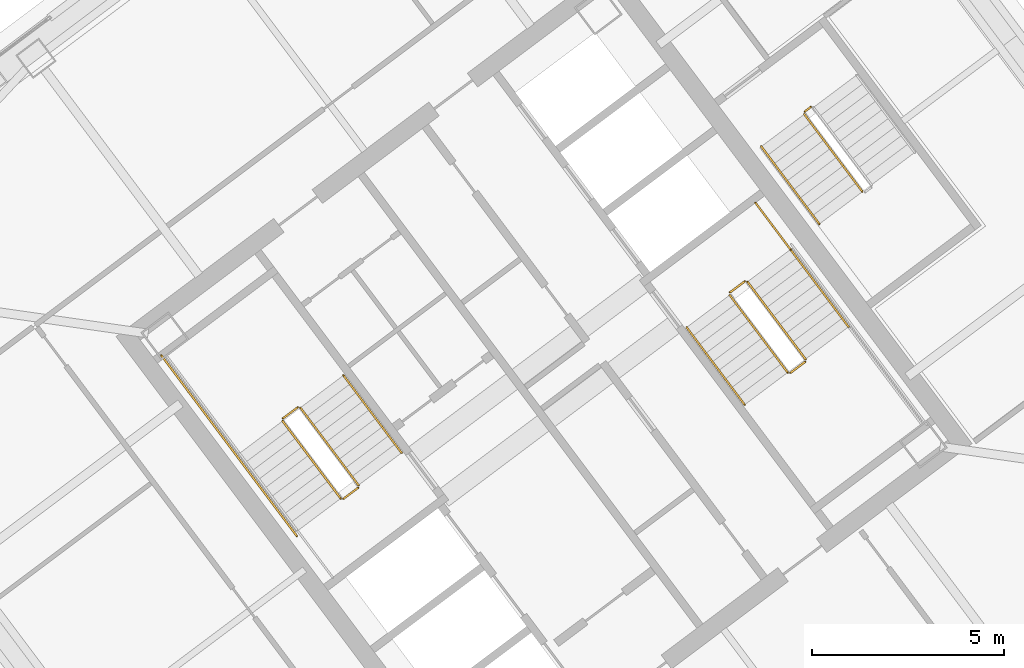
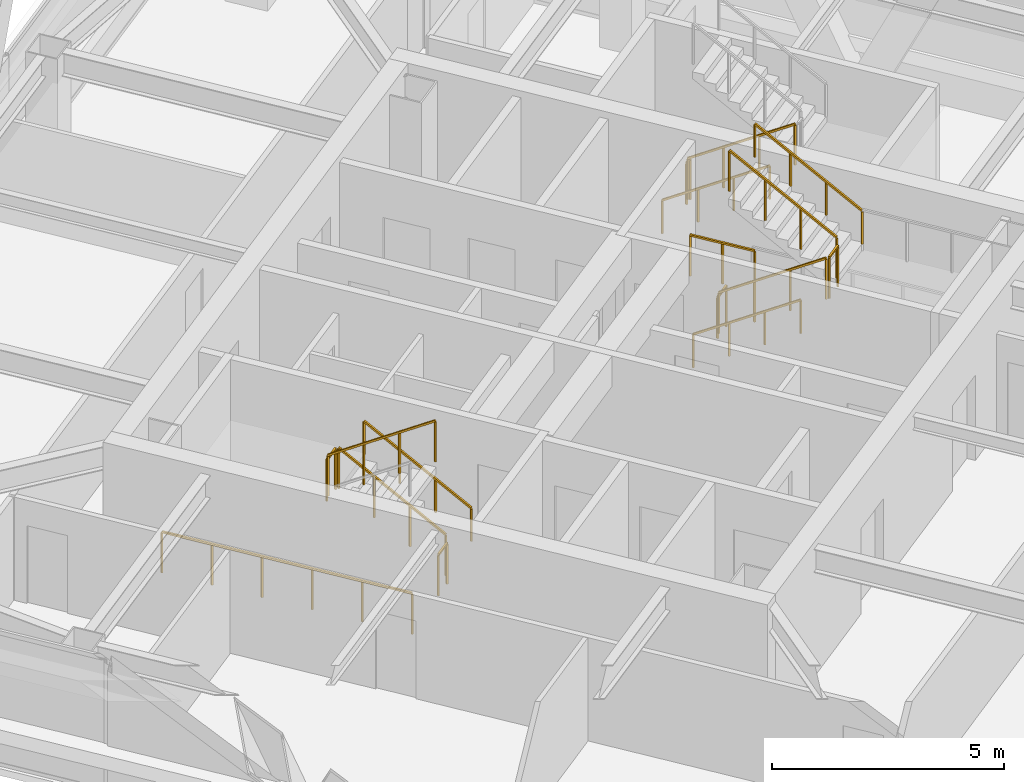
# One storey, part 45 of 47: 16 railings.
"""IFC4 building model written with IfcOpenShell, lengths in metres."""

from ifc_helpers import new_model, si_unit, direction, frame, origin, origin_2d, place, context, subcontext, project, spatial, rectangle, extrude, material, type_object, element, save


model = new_model("IFC4")

# Units and contexts
model_context = context("Model", 3, precision=1e-05, world=origin(), true_north=direction((0.0, 1.0)))
body_context = subcontext(model_context, "Body", "Model", "MODEL_VIEW")
ifc_project = project(units=[si_unit("LENGTHUNIT", "METRE"), si_unit("AREAUNIT", "SQUARE_METRE"), si_unit("VOLUMEUNIT", "CUBIC_METRE"), si_unit("PLANEANGLEUNIT", "RADIAN"), si_unit("MASSUNIT", "GRAM", prefix="KILO")], contexts=[model_context])

# Site, building, storey
site_placement = place(None, origin())
site = spatial("IfcSite", under=ifc_project, at=site_placement, CompositionType="ELEMENT")
building_placement = place(site_placement, origin())
building = spatial("IfcBuilding", under=site, at=building_placement, Name="Tashvorn Skyway Center", CompositionType="ELEMENT")
storey_placement = place(building_placement, frame((0.0, 0.0, 204.199951171875)))
storey = spatial("IfcBuildingStorey", under=building, at=storey_placement, Name="L55", CompositionType="ELEMENT", Elevation=204.199951171875)

# Railings
ifc_material_1 = material(Name="Brushed stainless steel 316", Category="steel")
railing_type_1 = type_object("IfcRailingType", Name="RAIL-HAND-920", PredefinedType="HANDRAIL", material=ifc_material_1)
railing_1_placement = place(storey_placement, frame((110.2880859375, 30.365966796875, 0.177490234375)))
element("IfcRailing", 1, at=railing_1_placement, inside=storey, type_object=railing_type_1, Name="L55 ST-T2-1 stair handrail 1", PredefinedType="HANDRAIL", context=body_context, shape_type="SweptSolid", body=[
    extrude(rectangle(XDim=0.048095703125, YDim=0.048095703125, at=origin_2d()), frame((0.0, 0.0, 0.8759765625), z_axis=(-0.506779409603, 0.675651334276, 0.53541563714), x_axis=(-0.799976749893, -0.600030998891, 0.0)), (0.0, 0.0, 1.0), 2.98388671875),
    extrude(rectangle(XDim=0.0419921875, YDim=0.0419921875, at=origin_2d()), origin(), (0.0, 0.0, 1.0), 0.851806640625),
    extrude(rectangle(XDim=0.0419921875, YDim=0.0419921875, at=origin_2d()), frame((-0.504150390625, 0.672119140625, 0.532470703125)), (0.0, 0.0, 1.0), 0.851806640625),
    extrude(rectangle(XDim=0.0419921875, YDim=0.0419921875, at=origin_2d()), frame((-1.008056640625, 1.343994140625, 1.065185546875)), (0.0, 0.0, 1.0), 0.851806640625),
    extrude(rectangle(XDim=0.0419921875, YDim=0.0419921875, at=origin_2d()), frame((-1.51220703125, 2.01611328125, 1.59765625)), (0.0, 0.0, 1.0), 0.851806640625),
])
railing_2_placement = place(storey_placement, frame((117.7119140625, 33.634033203125, 0.177490234375)))
element("IfcRailing", 2, at=railing_2_placement, inside=storey, type_object=railing_type_1, Name="L55 ST-T2-2 stair handrail 1", PredefinedType="HANDRAIL", context=body_context, shape_type="SweptSolid", body=[
    extrude(rectangle(XDim=0.048095703125, YDim=0.048095703125, at=origin_2d()), frame((0.0, 0.0, 0.8759765625), z_axis=(0.506779409603, -0.675651334276, 0.53541563714), x_axis=(0.799976749893, 0.600030998891, 0.0)), (0.0, 0.0, 1.0), 2.98388671875),
    extrude(rectangle(XDim=0.0419921875, YDim=0.0419921875, at=origin_2d()), origin(), (0.0, 0.0, 1.0), 0.851806640625),
    extrude(rectangle(XDim=0.0419921875, YDim=0.0419921875, at=origin_2d()), frame((0.504150390625, -0.672119140625, 0.532470703125)), (0.0, 0.0, 1.0), 0.851806640625),
    extrude(rectangle(XDim=0.0419921875, YDim=0.0419921875, at=origin_2d()), frame((1.008056640625, -1.343994140625, 1.065185546875)), (0.0, 0.0, 1.0), 0.851806640625),
    extrude(rectangle(XDim=0.0419921875, YDim=0.0419921875, at=origin_2d()), frame((1.51220703125, -2.01611328125, 1.59765625)), (0.0, 0.0, 1.0), 0.851806640625),
])
railing_3_placement = place(storey_placement, frame((121.927978515625, 33.64599609375, 1.95263671875)))
element("IfcRailing", 3, at=railing_3_placement, inside=storey, type_object=railing_type_1, Name="L55 ST-T2-2 stair handrail 2", PredefinedType="HANDRAIL", context=body_context, shape_type="SweptSolid", body=[
    extrude(rectangle(XDim=0.048095703125, YDim=0.048095703125, at=origin_2d()), frame((0.0, 0.0, 0.8759765625), z_axis=(-0.506740800098, 0.675708949977, 0.535379469569), x_axis=(-0.800023250257, -0.599968998406, 0.0)), (0.0, 0.0, 1.0), 2.983642578125),
    extrude(rectangle(XDim=0.0419921875, YDim=0.0419921875, at=origin_2d()), origin(), (0.0, 0.0, 1.0), 0.851806640625),
    extrude(rectangle(XDim=0.0419921875, YDim=0.0419921875, at=origin_2d()), frame((-0.50390625, 0.672119140625, 0.532470703125)), (0.0, 0.0, 1.0), 0.851806640625),
    extrude(rectangle(XDim=0.0419921875, YDim=0.0419921875, at=origin_2d()), frame((-1.008056640625, 1.343994140625, 1.06494140625)), (0.0, 0.0, 1.0), 0.851806640625),
    extrude(rectangle(XDim=0.0419921875, YDim=0.0419921875, at=origin_2d()), frame((-1.511962890625, 2.01611328125, 1.597412109375)), (0.0, 0.0, 1.0), 0.851806640625),
])
railing_4_placement = place(storey_placement, frame((119.656005859375, 38.342041015625, 0.177490234375)))
element("IfcRailing", 4, at=railing_4_placement, inside=storey, type_object=railing_type_1, Name="L55 ST-T2-3 stair handrail 1", PredefinedType="HANDRAIL", context=body_context, shape_type="SweptSolid", body=[
    extrude(rectangle(XDim=0.048095703125, YDim=0.048095703125, at=origin_2d()), frame((0.0, 0.0, 0.8759765625), z_axis=(0.506718600913, -0.675679348675, 0.535437836974), x_axis=(0.800023250257, 0.599968998406, 0.0)), (0.0, 0.0, 1.0), 2.98388671875),
    extrude(rectangle(XDim=0.0419921875, YDim=0.0419921875, at=origin_2d()), origin(), (0.0, 0.0, 1.0), 0.851806640625),
    extrude(rectangle(XDim=0.0419921875, YDim=0.0419921875, at=origin_2d()), frame((0.50390625, -0.672119140625, 0.532470703125)), (0.0, 0.0, 1.0), 0.851806640625),
    extrude(rectangle(XDim=0.0419921875, YDim=0.0419921875, at=origin_2d()), frame((1.008056640625, -1.343994140625, 1.065185546875)), (0.0, 0.0, 1.0), 0.851806640625),
    extrude(rectangle(XDim=0.0419921875, YDim=0.0419921875, at=origin_2d()), frame((1.511962890625, -2.01611328125, 1.59765625)), (0.0, 0.0, 1.0), 0.851806640625),
])
ifc_material_2 = material(Name="Painted galvanized steel S355", Category="steel")
railing_type_2 = type_object("IfcRailingType", Name="RAIL-STGUARD-1100", PredefinedType="GUARDRAIL", material=ifc_material_2)
railing_5_placement = place(storey_placement, frame((109.16796875, 29.52587890625, 0.177490234375)))
element("IfcRailing", 5, at=railing_5_placement, inside=storey, type_object=railing_type_2, Name="L55 ST-T2-1 stair guard 1", PredefinedType="GUARDRAIL", context=body_context, shape_type="SweptSolid", body=[
    extrude(rectangle(XDim=0.048095703125, YDim=0.048095703125, at=origin_2d()), frame((0.0, 0.0, 1.076171875), z_axis=(-0.506718600913, 0.675679348675, 0.535437836974), x_axis=(-0.800023250257, -0.599968998406, 0.0)), (0.0, 0.0, 1.0), 2.98388671875),
    extrude(rectangle(XDim=0.0419921875, YDim=0.0419921875, at=origin_2d()), origin(), (0.0, 0.0, 1.0), 1.052001953125),
    extrude(rectangle(XDim=0.0419921875, YDim=0.0419921875, at=origin_2d()), frame((-0.50390625, 0.672119140625, 0.532470703125)), (0.0, 0.0, 1.0), 1.052001953125),
    extrude(rectangle(XDim=0.0419921875, YDim=0.0419921875, at=origin_2d()), frame((-1.008056640625, 1.343994140625, 1.065185546875)), (0.0, 0.0, 1.0), 1.052001953125),
    extrude(rectangle(XDim=0.0419921875, YDim=0.0419921875, at=origin_2d()), frame((-1.511962890625, 2.01611328125, 1.59765625)), (0.0, 0.0, 1.0), 1.052001953125),
])
railing_6_placement = place(storey_placement, frame((107.5859375, 31.552001953125, 1.775146484375)))
element("IfcRailing", 6, at=railing_6_placement, inside=storey, type_object=railing_type_2, Name="L55 ST-T2-1 stair guard 2", PredefinedType="GUARDRAIL", context=body_context, shape_type="SweptSolid", body=[
    extrude(rectangle(XDim=0.048095703125, YDim=0.048095703125, at=origin_2d()), frame((0.0, 0.0, 1.076171875), z_axis=(-0.799938970639, -0.600081363861, 0.0), x_axis=(0.600081363861, -0.799938970639, 0.0)), (0.0, 0.0, 1.0), 0.47998046875),
    extrude(rectangle(XDim=0.0419921875, YDim=0.0419921875, at=origin_2d()), origin(), (0.0, 0.0, 1.0), 1.052001953125),
    extrude(rectangle(XDim=0.0419921875, YDim=0.0419921875, at=origin_2d()), frame((-0.384033203125, -0.2880859375, 0.0)), (0.0, 0.0, 1.0), 1.052001953125),
])
railing_7_placement = place(storey_placement, frame((107.19189453125, 31.194091796875, 1.95263671875)))
element("IfcRailing", 7, at=railing_7_placement, inside=storey, type_object=railing_type_2, Name="L55 ST-T2-1 stair guard 4", PredefinedType="GUARDRAIL", context=body_context, shape_type="SweptSolid", body=[
    extrude(rectangle(XDim=0.048095703125, YDim=0.048095703125, at=origin_2d()), frame((0.0, 0.0, 1.076171875), z_axis=(0.506801609611, -0.675680931896, 0.535357270211), x_axis=(0.799976749893, 0.600030998891, 0.0)), (0.0, 0.0, 1.0), 2.98388671875),
    extrude(rectangle(XDim=0.0419921875, YDim=0.0419921875, at=origin_2d()), origin(), (0.0, 0.0, 1.0), 1.052001953125),
    extrude(rectangle(XDim=0.0419921875, YDim=0.0419921875, at=origin_2d()), frame((0.504150390625, -0.672119140625, 0.532470703125)), (0.0, 0.0, 1.0), 1.052001953125),
    extrude(rectangle(XDim=0.0419921875, YDim=0.0419921875, at=origin_2d()), frame((1.008056640625, -1.343994140625, 1.06494140625)), (0.0, 0.0, 1.0), 1.052001953125),
    extrude(rectangle(XDim=0.0419921875, YDim=0.0419921875, at=origin_2d()), frame((1.51220703125, -2.01611328125, 1.597412109375)), (0.0, 0.0, 1.0), 1.052001953125),
])
railing_8_placement = place(storey_placement, frame((109.157958984375, 29.4560546875, 0.0)))
element("IfcRailing", 8, at=railing_8_placement, inside=storey, type_object=railing_type_2, Name="L55 ST-T2-1 stair guard 5", PredefinedType="GUARDRAIL", context=body_context, shape_type="SweptSolid", body=[
    extrude(rectangle(XDim=0.048095703125, YDim=0.048095703125, at=origin_2d()), frame((0.0, 0.0, 1.076171875), z_axis=(-0.799938970639, -0.600081363861, 0.0), x_axis=(0.600081363861, -0.799938970639, 0.0)), (0.0, 0.0, 1.0), 0.47998046875),
    extrude(rectangle(XDim=0.0419921875, YDim=0.0419921875, at=origin_2d()), origin(), (0.0, 0.0, 1.0), 1.052001953125),
    extrude(rectangle(XDim=0.0419921875, YDim=0.0419921875, at=origin_2d()), frame((-0.384033203125, -0.2880859375, 0.0)), (0.0, 0.0, 1.0), 1.052001953125),
])
railing_9_placement = place(storey_placement, frame((107.56396484375, 28.197998046875, 0.0)))
element("IfcRailing", 9, at=railing_9_placement, inside=storey, type_object=railing_type_2, Name="L55 ST-T2-1 stair guard 7", PredefinedType="GUARDRAIL", context=body_context, shape_type="SweptSolid", body=[
    extrude(rectangle(XDim=0.048095703125, YDim=0.048095703125, at=origin_2d()), frame((0.0, 0.0, 1.076171875), z_axis=(-0.6, 0.8, 0.0), x_axis=(-0.8, -0.6, 0.0)), (0.0, 0.0, 1.0), 5.880126953125),
    extrude(rectangle(XDim=0.0419921875, YDim=0.0419921875, at=origin_2d()), origin(), (0.0, 0.0, 1.0), 1.052001953125),
    extrude(rectangle(XDim=0.0419921875, YDim=0.0419921875, at=origin_2d()), frame((-0.70556640625, 0.94091796875, 0.0)), (0.0, 0.0, 1.0), 1.052001953125),
    extrude(rectangle(XDim=0.0419921875, YDim=0.0419921875, at=origin_2d()), frame((-1.4111328125, 1.881591796875, 0.0)), (0.0, 0.0, 1.0), 1.052001953125),
    extrude(rectangle(XDim=0.0419921875, YDim=0.0419921875, at=origin_2d()), frame((-2.116943359375, 2.822509765625, 0.0)), (0.0, 0.0, 1.0), 1.052001953125),
    extrude(rectangle(XDim=0.0419921875, YDim=0.0419921875, at=origin_2d()), frame((-2.822509765625, 3.76318359375, 0.0)), (0.0, 0.0, 1.0), 1.052001953125),
    extrude(rectangle(XDim=0.0419921875, YDim=0.0419921875, at=origin_2d()), frame((-3.528076171875, 4.7041015625, 0.0)), (0.0, 0.0, 1.0), 1.052001953125),
])
railing_10_placement = place(storey_placement, frame((118.83203125, 34.47412109375, 0.177490234375)))
element("IfcRailing", 10, at=railing_10_placement, inside=storey, type_object=railing_type_2, Name="L55 ST-T2-2 stair guard 1", PredefinedType="GUARDRAIL", context=body_context, shape_type="SweptSolid", body=[
    extrude(rectangle(XDim=0.048095703125, YDim=0.048095703125, at=origin_2d()), frame((0.0, 0.0, 1.076171875), z_axis=(0.506718600913, -0.675679348675, 0.535437836974), x_axis=(0.800023250257, 0.599968998406, 0.0)), (0.0, 0.0, 1.0), 2.98388671875),
    extrude(rectangle(XDim=0.0419921875, YDim=0.0419921875, at=origin_2d()), origin(), (0.0, 0.0, 1.0), 1.052001953125),
    extrude(rectangle(XDim=0.0419921875, YDim=0.0419921875, at=origin_2d()), frame((0.50390625, -0.672119140625, 0.532470703125)), (0.0, 0.0, 1.0), 1.052001953125),
    extrude(rectangle(XDim=0.0419921875, YDim=0.0419921875, at=origin_2d()), frame((1.008056640625, -1.343994140625, 1.065185546875)), (0.0, 0.0, 1.0), 1.052001953125),
    extrude(rectangle(XDim=0.0419921875, YDim=0.0419921875, at=origin_2d()), frame((1.511962890625, -2.01611328125, 1.59765625)), (0.0, 0.0, 1.0), 1.052001953125),
])
railing_11_placement = place(storey_placement, frame((120.4140625, 32.447998046875, 1.775146484375)))
element("IfcRailing", 11, at=railing_11_placement, inside=storey, type_object=railing_type_2, Name="L55 ST-T2-2 stair guard 2", PredefinedType="GUARDRAIL", context=body_context, shape_type="SweptSolid", body=[
    extrude(rectangle(XDim=0.048095703125, YDim=0.048095703125, at=origin_2d()), frame((0.0, 0.0, 1.076171875), z_axis=(0.799938970639, 0.600081363861, 0.0), x_axis=(-0.600081363861, 0.799938970639, 0.0)), (0.0, 0.0, 1.0), 0.47998046875),
    extrude(rectangle(XDim=0.0419921875, YDim=0.0419921875, at=origin_2d()), origin(), (0.0, 0.0, 1.0), 1.052001953125),
    extrude(rectangle(XDim=0.0419921875, YDim=0.0419921875, at=origin_2d()), frame((0.384033203125, 0.2880859375, 0.0)), (0.0, 0.0, 1.0), 1.052001953125),
])
railing_12_placement = place(storey_placement, frame((120.80810546875, 32.805908203125, 1.95263671875)))
element("IfcRailing", 12, at=railing_12_placement, inside=storey, type_object=railing_type_2, Name="L55 ST-T2-2 stair guard 4", PredefinedType="GUARDRAIL", context=body_context, shape_type="SweptSolid", body=[
    extrude(rectangle(XDim=0.048095703125, YDim=0.048095703125, at=origin_2d()), frame((0.0, 0.0, 1.076171875), z_axis=(-0.506801609611, 0.675680931896, 0.535357270211), x_axis=(-0.799976749893, -0.600030998891, 0.0)), (0.0, 0.0, 1.0), 2.98388671875),
    extrude(rectangle(XDim=0.0419921875, YDim=0.0419921875, at=origin_2d()), origin(), (0.0, 0.0, 1.0), 1.052001953125),
    extrude(rectangle(XDim=0.0419921875, YDim=0.0419921875, at=origin_2d()), frame((-0.504150390625, 0.672119140625, 0.532470703125)), (0.0, 0.0, 1.0), 1.052001953125),
    extrude(rectangle(XDim=0.0419921875, YDim=0.0419921875, at=origin_2d()), frame((-1.008056640625, 1.343994140625, 1.06494140625)), (0.0, 0.0, 1.0), 1.052001953125),
    extrude(rectangle(XDim=0.0419921875, YDim=0.0419921875, at=origin_2d()), frame((-1.51220703125, 2.01611328125, 1.597412109375)), (0.0, 0.0, 1.0), 1.052001953125),
])
railing_13_placement = place(storey_placement, frame((118.842041015625, 34.5439453125, 0.0)))
element("IfcRailing", 13, at=railing_13_placement, inside=storey, type_object=railing_type_2, Name="L55 ST-T2-2 stair guard 5", PredefinedType="GUARDRAIL", context=body_context, shape_type="SweptSolid", body=[
    extrude(rectangle(XDim=0.048095703125, YDim=0.048095703125, at=origin_2d()), frame((0.0, 0.0, 1.076171875), z_axis=(0.799938970639, 0.600081363861, 0.0), x_axis=(-0.600081363861, 0.799938970639, 0.0)), (0.0, 0.0, 1.0), 0.47998046875),
    extrude(rectangle(XDim=0.0419921875, YDim=0.0419921875, at=origin_2d()), origin(), (0.0, 0.0, 1.0), 1.052001953125),
    extrude(rectangle(XDim=0.0419921875, YDim=0.0419921875, at=origin_2d()), frame((0.384033203125, 0.2880859375, 0.0)), (0.0, 0.0, 1.0), 1.052001953125),
])
railing_14_placement = place(storey_placement, frame((119.50390625, 36.8779296875, 0.0)))
element("IfcRailing", 14, at=railing_14_placement, inside=storey, type_object=railing_type_2, Name="L55 ST-T2-2 stair guard 6", PredefinedType="GUARDRAIL", context=body_context, shape_type="SweptSolid", body=[
    extrude(rectangle(XDim=0.048095703125, YDim=0.048095703125, at=origin_2d()), frame((0.0, 0.0, 1.076171875), z_axis=(0.600102796382, -0.799922892393, 0.0), x_axis=(0.799922892393, 0.600102796382, 0.0)), (0.0, 0.0, 1.0), 1.52001953125),
    extrude(rectangle(XDim=0.0419921875, YDim=0.0419921875, at=origin_2d()), origin(), (0.0, 0.0, 1.0), 1.052001953125),
    extrude(rectangle(XDim=0.0419921875, YDim=0.0419921875, at=origin_2d()), frame((0.4560546875, -0.60791015625, 0.0)), (0.0, 0.0, 1.0), 1.052001953125),
    extrude(rectangle(XDim=0.0419921875, YDim=0.0419921875, at=origin_2d()), frame((0.912109375, -1.2158203125, 0.0)), (0.0, 0.0, 1.0), 1.052001953125),
])
railing_15_placement = place(storey_placement, frame((120.77587890625, 39.181884765625, 0.177490234375)))
element("IfcRailing", 15, at=railing_15_placement, inside=storey, type_object=railing_type_2, Name="L55 ST-T2-3 stair guard 1", PredefinedType="GUARDRAIL", context=body_context, shape_type="SweptSolid", body=[
    extrude(rectangle(XDim=0.048095703125, YDim=0.048095703125, at=origin_2d()), frame((0.0, 0.0, 1.076171875), z_axis=(0.506807425148, -0.675606863004, 0.535445235739), x_axis=(0.799941867976, 0.600077501544, 0.0)), (0.0, 0.0, 1.0), 2.98388671875),
    extrude(rectangle(XDim=0.0419921875, YDim=0.0419921875, at=origin_2d()), origin(), (0.0, 0.0, 1.0), 1.052001953125),
    extrude(rectangle(XDim=0.0419921875, YDim=0.0419921875, at=origin_2d()), frame((0.504150390625, -0.671875, 0.532470703125)), (0.0, 0.0, 1.0), 1.052001953125),
    extrude(rectangle(XDim=0.0419921875, YDim=0.0419921875, at=origin_2d()), frame((1.008056640625, -1.343994140625, 1.065185546875)), (0.0, 0.0, 1.0), 1.052001953125),
    extrude(rectangle(XDim=0.0419921875, YDim=0.0419921875, at=origin_2d()), frame((1.51220703125, -2.015869140625, 1.59765625)), (0.0, 0.0, 1.0), 1.052001953125),
])
railing_16_placement = place(storey_placement, frame((120.785888671875, 39.251953125, 0.0)))
element("IfcRailing", 16, at=railing_16_placement, inside=storey, type_object=railing_type_2, Name="L55 ST-T2-3 stair guard 4", PredefinedType="GUARDRAIL", context=body_context, shape_type="SweptSolid", body=[
    extrude(rectangle(XDim=0.048095703125, YDim=0.048095703125, at=origin_2d()), frame((0.0, 0.0, 1.076171875), z_axis=(0.8, 0.6, 0.0), x_axis=(-0.6, 0.8, 0.0)), (0.0, 0.0, 1.0), 0.2001953125),
    extrude(rectangle(XDim=0.0419921875, YDim=0.0419921875, at=origin_2d()), origin(), (0.0, 0.0, 1.0), 1.052001953125),
    extrude(rectangle(XDim=0.0419921875, YDim=0.0419921875, at=origin_2d()), frame((0.16015625, 0.1201171875, 0.0)), (0.0, 0.0, 1.0), 1.052001953125),
])

save(model, "model.ifc")
